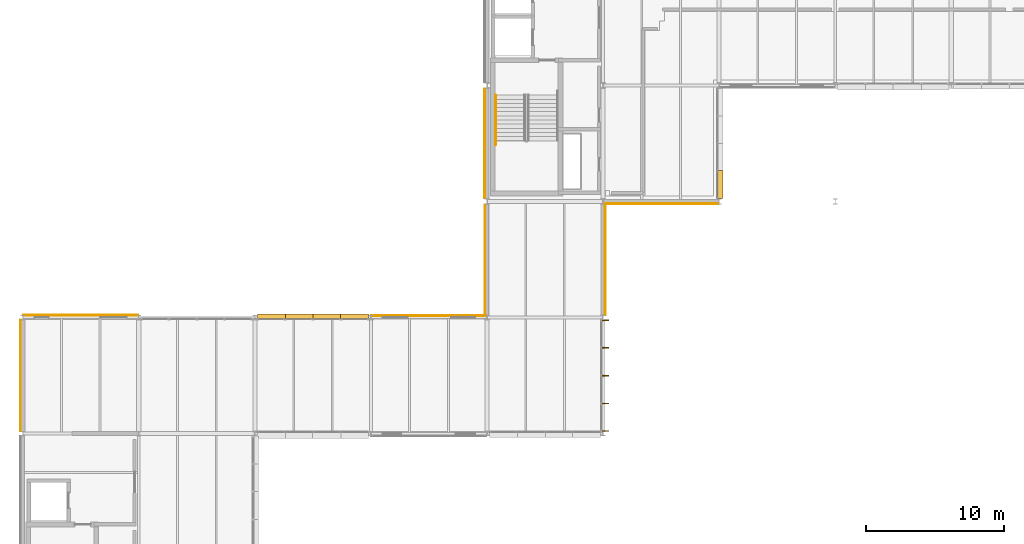
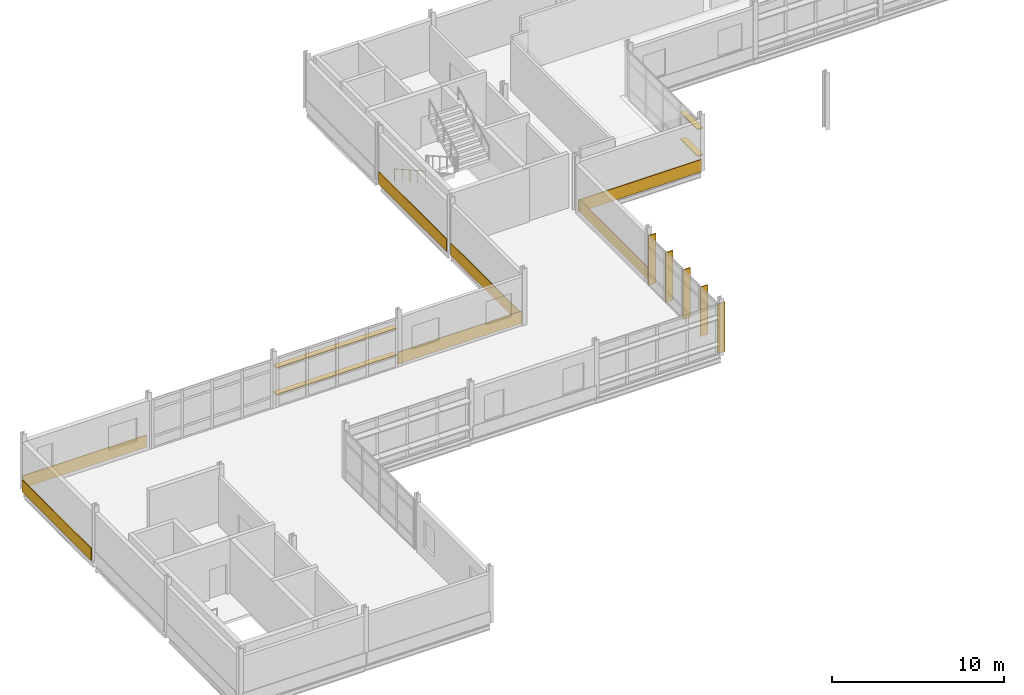
# One storey, part 93 of 103: 15 shading devices, 7 coverings, 1 railing.
"""IFC4 building model written with IfcOpenShell, lengths in metres."""

from ifc_helpers import new_model, si_unit, direction, frame, origin, origin_2d, place, context, subcontext, project, spatial, rectangle, circle, extrude, material, layer, layer_set, type_object, element, save


model = new_model("IFC4")

# Units and contexts
model_context = context("Model", 3, precision=1e-05, world=origin(), true_north=direction((0.0, 1.0)))
body_context = subcontext(model_context, "Body", "Model", "MODEL_VIEW")
ifc_project = project(units=[si_unit("LENGTHUNIT", "METRE"), si_unit("AREAUNIT", "SQUARE_METRE"), si_unit("VOLUMEUNIT", "CUBIC_METRE"), si_unit("PLANEANGLEUNIT", "RADIAN"), si_unit("MASSUNIT", "GRAM", prefix="KILO")], contexts=[model_context])

# Site, building, storey
site_placement = place(None, origin())
site = spatial("IfcSite", under=ifc_project, at=site_placement, CompositionType="ELEMENT")
building_placement = place(site_placement, origin())
building = spatial("IfcBuilding", under=site, at=building_placement, Name="Mersafa Astral City Hall", CompositionType="ELEMENT")
storey_placement = place(building_placement, frame((0.0, 0.0, 18.0)))
storey = spatial("IfcBuildingStorey", under=building, at=storey_placement, Name="L04", CompositionType="ELEMENT", Elevation=18.0)

# Coverings
ifc_material_1 = material(Name="Cairo Mokattam buff limestone cladding", Category="masonry")
ifc_layer = layer(ifc_material_1, 0.06005859375, Name="Cairo Mokattam buff limestone cladding")
ifc_layer_set = layer_set([ifc_layer], Name="Cairo Mokattam buff limestone cladding — ENV-COV-LIMESTONE-60")
covering_type = type_object("IfcCoveringType", Name="ENV-COV-LIMESTONE-60", PredefinedType="CLADDING", material=ifc_layer_set)
covering_1_placement = place(storey_placement, frame((41.845458984375, 113.39990234375, 0.0), z_axis=(0.0, 0.0, 1.0), x_axis=(0.0, -1.0, 0.0)))
element("IfcCovering", 1, at=covering_1_placement, inside=storey, type_object=covering_type, Name="L04 Cairo buff limestone rainscreen cladding 294", PredefinedType="CLADDING", context=body_context, shape_type="SweptSolid", body=[
    extrude(rectangle(XDim=7.947998046875, YDim=0.06005859375, at=origin_2d()), origin(), (0.0, 0.0, 1.0), 0.860107421875),
])
covering_2_placement = place(storey_placement, frame((41.85302734375, 104.97509765625, 0.0), z_axis=(0.0, 0.0, 1.0), x_axis=(0.0, -1.0, 0.0)))
element("IfcCovering", 2, at=covering_2_placement, inside=storey, type_object=covering_type, Name="L04 Cairo buff limestone rainscreen cladding 295", PredefinedType="CLADDING", context=body_context, shape_type="SweptSolid", body=[
    extrude(rectangle(XDim=7.998046875, YDim=0.06005859375, at=origin_2d()), origin(), (0.0, 0.0, 1.0), 0.860107421875),
])
for number, where, z_axis, x_axis, name in (
    (3, (37.800048828125, 100.939453125, 0.0), (0.0, 0.0, 1.0), (-1.0, 0.0, 0.0), "L04 Cairo buff limestone rainscreen cladding 296"),
    (4, (12.60009765625, 100.97705078125, 0.0), (0.0, 0.0, 1.0), (-1.0, 0.0, 0.0), "L04 Cairo buff limestone rainscreen cladding 297"),
):
    element("IfcCovering", number, at=place(storey_placement, frame(where, z_axis=z_axis, x_axis=x_axis)), inside=storey, type_object=covering_type, Name=name, PredefinedType="CLADDING", context=body_context, shape_type="SweptSolid", body=[
        extrude(rectangle(XDim=8.323974609375, YDim=0.06005859375, at=origin_2d()), origin(), (0.0, 0.0, 1.0), 0.860107421875),
    ])
covering_3_placement = place(storey_placement, frame((8.23046875, 96.60009765625, 0.0), z_axis=(0.0, 0.0, 1.0), x_axis=(0.0, -1.0, 0.0)))
element("IfcCovering", 5, at=covering_3_placement, inside=storey, type_object=covering_type, Name="L04 Cairo buff limestone rainscreen cladding 298", PredefinedType="CLADDING", context=body_context, shape_type="SweptSolid", body=[
    extrude(rectangle(XDim=8.048095703125, YDim=0.06005859375, at=origin_2d()), origin(), (0.0, 0.0, 1.0), 0.860107421875),
])
covering_4_placement = place(storey_placement, frame((50.56201171875, 104.97509765625, 0.0), z_axis=(0.0, 0.0, 1.0), x_axis=(0.0, 1.0, 0.0)))
element("IfcCovering", 6, at=covering_4_placement, inside=storey, type_object=covering_type, Name="L04 Cairo buff limestone rainscreen cladding 305", PredefinedType="CLADDING", context=body_context, shape_type="SweptSolid", body=[
    extrude(rectangle(XDim=7.998046875, YDim=0.06005859375, at=origin_2d()), origin(), (0.0, 0.0, 1.0), 0.860107421875),
])
covering_5_placement = place(storey_placement, frame((54.60009765625, 109.04541015625, 0.0), z_axis=(0.0, 0.0, 1.0), x_axis=(1.0, 0.0, 0.0)))
element("IfcCovering", 7, at=covering_5_placement, inside=storey, type_object=covering_type, Name="L04 Cairo buff limestone rainscreen cladding 306", PredefinedType="CLADDING", context=body_context, shape_type="SweptSolid", body=[
    extrude(rectangle(XDim=8.323974609375, YDim=0.06005859375, at=origin_2d()), origin(), (0.0, 0.0, 1.0), 0.860107421875),
])

# Shading devices
ifc_material_2 = material(Name="Anodised bronze aluminium solar fin", Category="aluminium")
shading_device_type_1 = type_object("IfcShadingDeviceType", Name="ENV-SHD-FIN-500A", PredefinedType="USERDEFINED", material=ifc_material_2)
for number, where, z_axis, x_axis, name in (
    (8, (50.544921875, 92.592041015625, -0.01513671875), (0.0, 0.0, 1.0), (0.0, 1.0, 0.0), "L04 Vertical bronze solar fin 1276"),
    (9, (50.544921875, 94.5810546875, -0.01513671875), (0.0, 0.0, 1.0), (0.0, 1.0, 0.0), "L04 Vertical bronze solar fin 1277"),
    (10, (50.544921875, 96.60009765625, -0.01513671875), (0.0, 0.0, 1.0), (0.0, 1.0, 0.0), "L04 Vertical bronze solar fin 1278"),
    (11, (50.544921875, 98.618896484375, -0.01513671875), (0.0, 0.0, 1.0), (0.0, 1.0, 0.0), "L04 Vertical bronze solar fin 1279"),
    (12, (50.544921875, 100.60791015625, -0.01513671875), (0.0, 0.0, 1.0), (0.0, 1.0, 0.0), "L04 Vertical bronze solar fin 1280"),
):
    element("IfcShadingDevice", number, at=place(storey_placement, frame(where, z_axis=z_axis, x_axis=x_axis)), inside=storey, type_object=shading_device_type_1, Name=name, ObjectType="FIN", PredefinedType="USERDEFINED", context=body_context, shape_type="SweptSolid", body=[
        extrude(rectangle(XDim=0.06005859375, YDim=0.5, at=origin_2d()), origin(), (0.0, 0.0, 1.0), 3.511962890625),
    ])
ifc_material_3 = material(Name="Kiln-dried cedar timber brise-soleil blade", Category="wood")
shading_device_type_2 = type_object("IfcShadingDeviceType", Name="ENV-SHD-LOUVRE-380", PredefinedType="JALOUSIE", material=ifc_material_3)
shading_device_1_placement = place(storey_placement, frame((32.41357421875, 100.8798828125, 0.81494140625), z_axis=(0.0, 0.0, 1.0), x_axis=(-1.0, 0.0, 0.0)))
element("IfcShadingDevice", 13, at=shading_device_1_placement, inside=storey, type_object=shading_device_type_2, Name="L04 Horizontal cedar brise-soleil louvre 1244", PredefinedType="JALOUSIE", context=body_context, shape_type="SweptSolid", body=[
    extrude(rectangle(XDim=2.029052734375, YDim=0.3798828125, at=origin_2d()), origin(), (0.0, 0.0, 1.0), 0.070068359375),
])
for number, where, z_axis, x_axis, name in (
    (14, (30.409423828125, 100.8798828125, 0.81494140625), (0.0, 0.0, 1.0), (-1.0, 0.0, 0.0), "L04 Horizontal cedar brise-soleil louvre 1245"),
    (15, (28.390380859375, 100.8798828125, 0.81494140625), (0.0, 0.0, 1.0), (-1.0, 0.0, 0.0), "L04 Horizontal cedar brise-soleil louvre 1246"),
):
    element("IfcShadingDevice", number, at=place(storey_placement, frame(where, z_axis=z_axis, x_axis=x_axis)), inside=storey, type_object=shading_device_type_2, Name=name, PredefinedType="JALOUSIE", context=body_context, shape_type="SweptSolid", body=[
        extrude(rectangle(XDim=2.05908203125, YDim=0.3798828125, at=origin_2d()), origin(), (0.0, 0.0, 1.0), 0.070068359375),
    ])
for number, where, z_axis, x_axis, name in (
    (16, (26.386474609375, 100.8798828125, 0.81494140625), (0.0, 0.0, 1.0), (-1.0, 0.0, 0.0), "L04 Horizontal cedar brise-soleil louvre 1247"),
    (17, (32.41357421875, 100.8798828125, 2.71484375), (0.0, 0.0, 1.0), (-1.0, 0.0, 0.0), "L04 Horizontal cedar brise-soleil louvre 1248"),
):
    element("IfcShadingDevice", number, at=place(storey_placement, frame(where, z_axis=z_axis, x_axis=x_axis)), inside=storey, type_object=shading_device_type_2, Name=name, PredefinedType="JALOUSIE", context=body_context, shape_type="SweptSolid", body=[
        extrude(rectangle(XDim=2.029052734375, YDim=0.3798828125, at=origin_2d()), origin(), (0.0, 0.0, 1.0), 0.070068359375),
    ])
for number, where, z_axis, x_axis, name in (
    (18, (30.409423828125, 100.8798828125, 2.71484375), (0.0, 0.0, 1.0), (-1.0, 0.0, 0.0), "L04 Horizontal cedar brise-soleil louvre 1249"),
    (19, (28.390380859375, 100.8798828125, 2.71484375), (0.0, 0.0, 1.0), (-1.0, 0.0, 0.0), "L04 Horizontal cedar brise-soleil louvre 1250"),
):
    element("IfcShadingDevice", number, at=place(storey_placement, frame(where, z_axis=z_axis, x_axis=x_axis)), inside=storey, type_object=shading_device_type_2, Name=name, PredefinedType="JALOUSIE", context=body_context, shape_type="SweptSolid", body=[
        extrude(rectangle(XDim=2.05908203125, YDim=0.3798828125, at=origin_2d()), origin(), (0.0, 0.0, 1.0), 0.070068359375),
    ])
shading_device_2_placement = place(storey_placement, frame((26.386474609375, 100.8798828125, 2.71484375), z_axis=(0.0, 0.0, 1.0), x_axis=(-1.0, 0.0, 0.0)))
element("IfcShadingDevice", 20, at=shading_device_2_placement, inside=storey, type_object=shading_device_type_2, Name="L04 Horizontal cedar brise-soleil louvre 1251", PredefinedType="JALOUSIE", context=body_context, shape_type="SweptSolid", body=[
    extrude(rectangle(XDim=2.029052734375, YDim=0.3798828125, at=origin_2d()), origin(), (0.0, 0.0, 1.0), 0.070068359375),
])
for number, where, z_axis, x_axis, name in (
    (21, (58.8798828125, 110.424072265625, 0.81494140625), (0.0, 0.0, 1.0), (0.0, 1.0, 0.0), "L04 Horizontal cedar brise-soleil louvre 1281"),
    (22, (58.8798828125, 110.424072265625, 2.71484375), (0.0, 0.0, 1.0), (0.0, 1.0, 0.0), "L04 Horizontal cedar brise-soleil louvre 1285"),
):
    element("IfcShadingDevice", number, at=place(storey_placement, frame(where, z_axis=z_axis, x_axis=x_axis)), inside=storey, type_object=shading_device_type_2, Name=name, PredefinedType="JALOUSIE", context=body_context, shape_type="SweptSolid", body=[
        extrude(rectangle(XDim=2.00390625, YDim=0.3798828125, at=origin_2d()), origin(), (0.0, 0.0, 1.0), 0.070068359375),
    ])

# Railing
ifc_material_4 = material(Name="Brushed stainless steel tubular handrail", Category="steel")
railing_type = type_object("IfcRailingType", Name="HANDRAIL", PredefinedType="HANDRAIL", material=ifc_material_4)
railing_placement = place(storey_placement, frame((42.6298828125, 116.89990234375, 0.168701171875)))
element("IfcRailing", 23, at=railing_placement, inside=storey, type_object=railing_type, Name="L04 ST3 stair handrail 1", PredefinedType="HANDRAIL", context=body_context, shape_type="SweptSolid", body=[
    extrude(circle(Radius=0.02392578125, at=origin_2d()), frame((0.0, 0.0, 0.8759765625), z_axis=(0.0, -0.871248695433, 0.49084183879), x_axis=(1.0, 0.0, 0.0)), (0.0, 0.0, 1.0), 4.1318359375),
    extrude(circle(Radius=0.02099609375, at=origin_2d()), origin(), (0.0, 0.0, 1.0), 0.851806640625),
    extrude(circle(Radius=0.02099609375, at=origin_2d()), frame((0.0, -0.89990234375, 0.507080078125)), (0.0, 0.0, 1.0), 0.851806640625),
    extrude(circle(Radius=0.02099609375, at=origin_2d()), frame((0.0, -1.7998046875, 1.01416015625)), (0.0, 0.0, 1.0), 0.851806640625),
    extrude(circle(Radius=0.02099609375, at=origin_2d()), frame((0.0, -2.699951171875, 1.52099609375)), (0.0, 0.0, 1.0), 0.851806640625),
    extrude(circle(Radius=0.02099609375, at=origin_2d()), frame((0.0, -3.599853515625, 2.028076171875)), (0.0, 0.0, 1.0), 0.851806640625),
])

save(model, "model.ifc")
